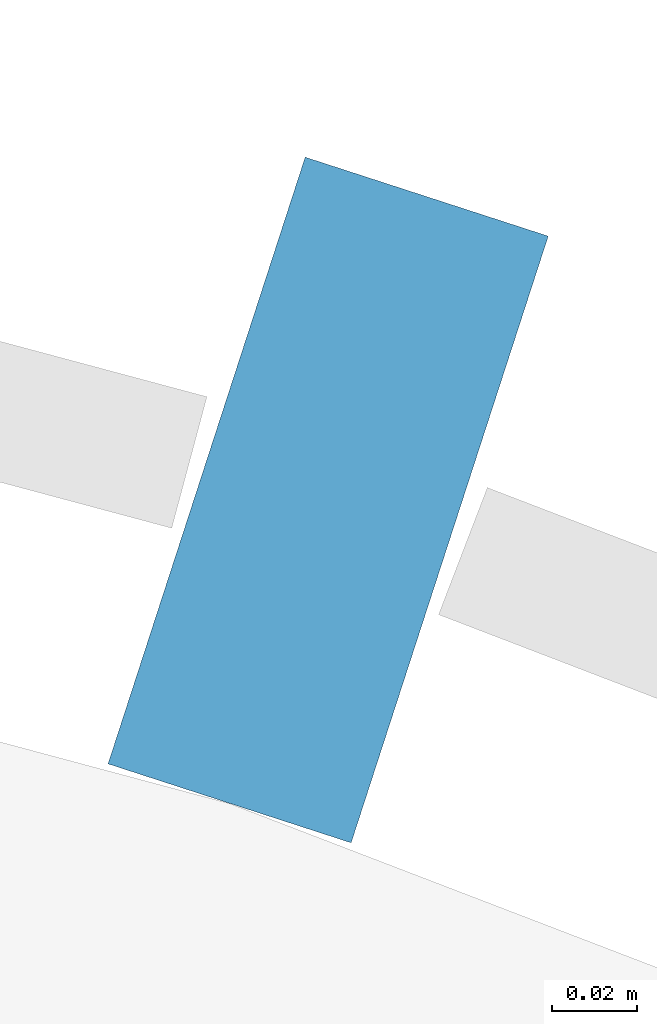
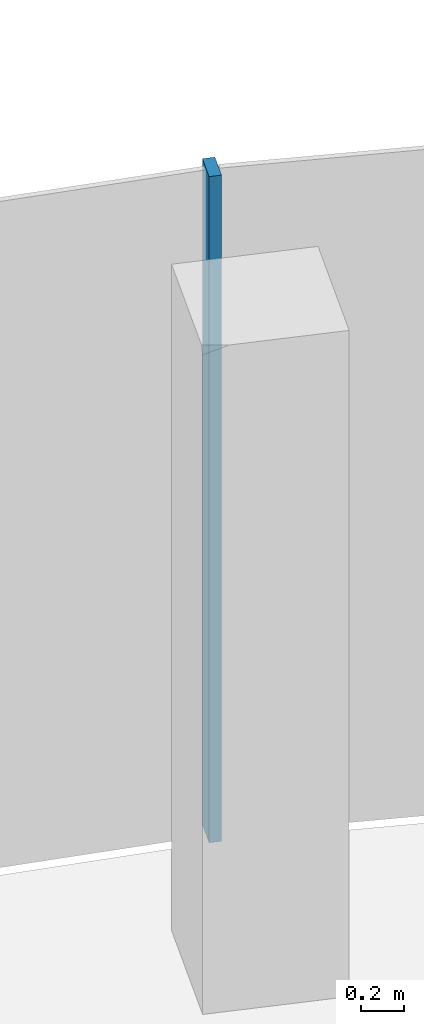
# One storey, part 10 of 18: 1 member, 1 element without a shape of its own.
"""IFC4 building model written with IfcOpenShell, lengths in metres."""

from ifc_helpers import new_model, si_unit, direction, frame, origin, origin_2d, place, context, subcontext, project, spatial, rectangle, extrude, material, layer, layer_set, material_profile, profile_set, type_object, element, aggregate, save


model = new_model("IFC4")

# Units and contexts
model_context = context("Model", 3, precision=1e-05, world=origin(), true_north=direction((0.0, 1.0)))
body_context = subcontext(model_context, "Body", "Model", "MODEL_VIEW")
ifc_project = project(units=[si_unit("LENGTHUNIT", "METRE"), si_unit("AREAUNIT", "SQUARE_METRE"), si_unit("VOLUMEUNIT", "CUBIC_METRE"), si_unit("PLANEANGLEUNIT", "RADIAN"), si_unit("MASSUNIT", "GRAM", prefix="KILO")], contexts=[model_context])

# Site, building, storey
site_placement = place(None, origin())
site = spatial("IfcSite", under=ifc_project, at=site_placement, CompositionType="ELEMENT")
building_placement = place(site_placement, origin())
building = spatial("IfcBuilding", under=site, at=building_placement, Name="Stone Belt Terrace Tower", CompositionType="ELEMENT")
storey_placement = place(building_placement, frame((0.0, 0.0, 299.800048828125)))
storey = spatial("IfcBuildingStorey", under=building, at=storey_placement, Name="L73", CompositionType="ELEMENT", Elevation=299.800048828125)

# Curtain wall, member
ifc_material = material(Name="Aluminium 6063-T6 anodised frame", Category="aluminium")
ifc_layer = layer(ifc_material, 0.14990234375)
ifc_layer_set = layer_set([ifc_layer], Name="CW-A unitised convex-face curtain wall")
curtain_wall_type = type_object("IfcCurtainWallType", Name="CW-A unitised convex-face curtain wall", PredefinedType="NOTDEFINED", material=ifc_layer_set)
curtain_wall_placement = place(storey_placement, origin())
curtain_wall = element("IfcCurtainWall", 1, at=curtain_wall_placement, inside=storey, type_object=curtain_wall_type, Name="CW-A convex face L73", PredefinedType="NOTDEFINED")
ifc_material_profile = material_profile(ifc_material, rectangle(XDim=0.14990234375, YDim=0.06005859375, at=origin_2d()), Name="Aluminium 6063-T6 60x150")
ifc_profile_set = profile_set([ifc_material_profile], Name="Aluminium 6063-T6 anodised frame")
member_type = type_object("IfcMemberType", Name="CW-A mullion 60 x 150", PredefinedType="MULLION", material=ifc_profile_set)
member_placement = place(storey_placement, frame((20.57275390625, 63.316650390625, 0.0), z_axis=(0.0, 0.0, 1.0), x_axis=(-0.309016994375, -0.951056516295, 0.0)))
member = element("IfcMember", 2, at=member_placement, type_object=member_type, Name="CW-A mullion 5", PredefinedType="MULLION", context=body_context, shape_type="SweptSolid", body=[
    extrude(rectangle(XDim=0.14990234375, YDim=0.06005859375, at=origin_2d()), origin(), (0.0, 0.0, 1.0), 3.800048828125),
])
aggregate(curtain_wall, [member])

save(model, "model.ifc")
